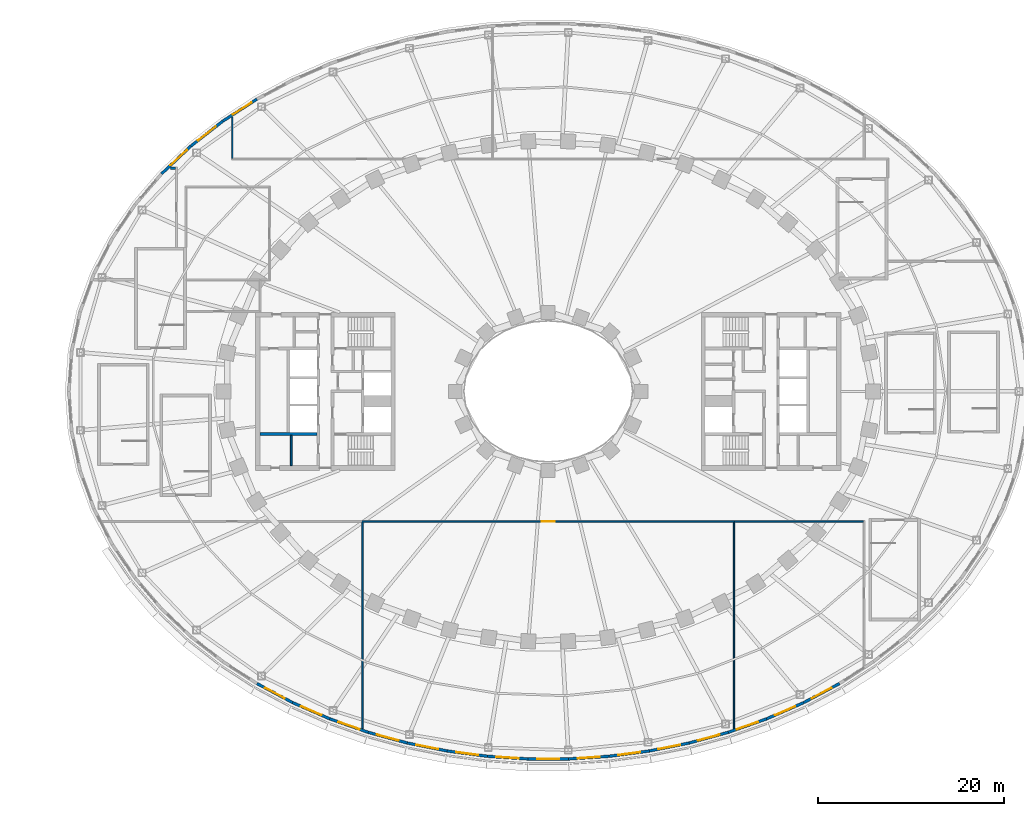
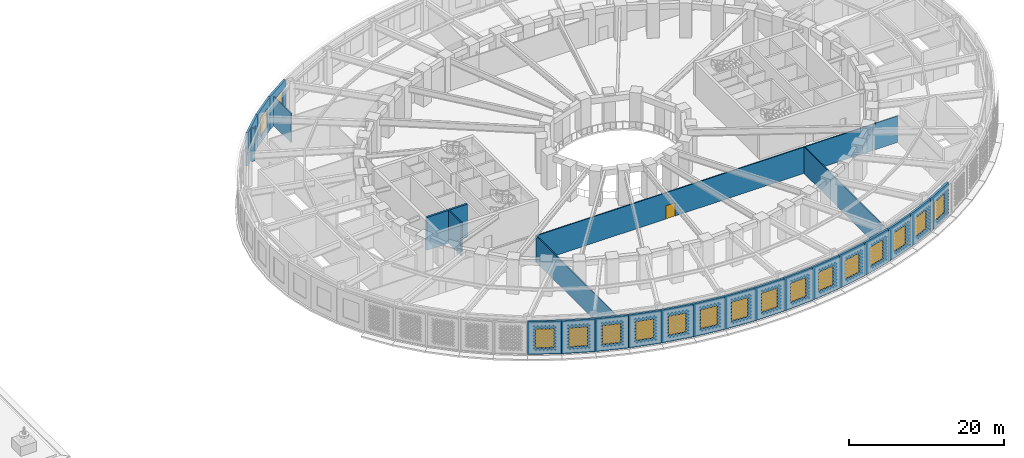
# One storey, part 11 of 63: 26 walls, 18 windows, 1 door, 19 openings.
"""IFC4 building model written with IfcOpenShell, lengths in metres."""

from ifc_helpers import new_model, si_unit, direction, frame, frame_2d, origin, place, context, subcontext, project, spatial, rectangle, extrude, material, layer, layer_set, type_object, element, fill, save


model = new_model("IFC4")

# Units and contexts
model_context = context("Model", 3, precision=1e-05, world=origin(), true_north=direction((0.0, 1.0)))
body_context = subcontext(model_context, "Body", "Model", "MODEL_VIEW")
ifc_project = project(units=[si_unit("LENGTHUNIT", "METRE"), si_unit("AREAUNIT", "SQUARE_METRE"), si_unit("VOLUMEUNIT", "CUBIC_METRE"), si_unit("PLANEANGLEUNIT", "RADIAN"), si_unit("MASSUNIT", "GRAM", prefix="KILO")], contexts=[model_context])

# Site, building, storey
site_placement = place(None, origin())
site = spatial("IfcSite", under=ifc_project, at=site_placement, CompositionType="ELEMENT")
building_placement = place(site_placement, origin())
building = spatial("IfcBuilding", under=site, at=building_placement, Name="Noorbagh Ring Tower", CompositionType="ELEMENT")
storey_placement = place(building_placement, frame((0.0, 0.0, 25.0)))
storey = spatial("IfcBuildingStorey", under=building, at=storey_placement, Name="L04", CompositionType="ELEMENT", Elevation=25.0)

# Walls
ifc_material_1 = material(Name="Gypsum board on steel studs", Category="steel")
ifc_layer_1 = layer(ifc_material_1, 0.199951171875)
ifc_layer_set_1 = layer_set([ifc_layer_1], Name="Gypsum board on steel studs")
wall_type_1 = type_object("IfcWallType", Name="CORE-PARTITION-200", PredefinedType="PARTITIONING", material=ifc_layer_set_1)
wall_1_placement = place(storey_placement, frame((-27.64990234375, -8.0, 0.0), z_axis=(0.0, 0.0, 1.0), x_axis=(0.0, 1.0, 0.0)))
element("IfcWall", 1, at=wall_1_placement, inside=storey, type_object=wall_type_1, Name="Core partition W", PredefinedType="PARTITIONING", context=body_context, shape_type="SweptSolid", body=[
    extrude(rectangle(XDim=3.25, YDim=0.199951171875, at=frame_2d((1.625, 0.0))), origin(), (0.0, 0.0, 1.0), 5.199951171875),
])
ifc_material_2 = material(Name="Concrete C70/85", Category="concrete")
ifc_layer_2 = layer(ifc_material_2, 0.300048828125)
ifc_layer_set_2 = layer_set([ifc_layer_2], Name="Concrete C70/85")
wall_type_2 = type_object("IfcWallType", Name="CORE-WALL-300-C70-85-EI240", PredefinedType="SHEAR", material=ifc_layer_set_2)
wall_2_placement = place(storey_placement, frame((-24.89990234375, -4.60009765625, 0.0), z_axis=(0.0, 0.0, 1.0), x_axis=(-1.0, 0.0, 0.0)))
element("IfcWall", 2, at=wall_2_placement, inside=storey, type_object=wall_type_2, Name="Core wall W", PredefinedType="SHEAR", context=body_context, shape_type="SweptSolid", body=[
    extrude(rectangle(XDim=6.10009765625, YDim=0.300048828125, at=frame_2d((3.050048828125, 0.0))), origin(), (0.0, 0.0, 1.0), 5.199951171875),
])

# Wall, opening, window
ifc_material_3 = material(Name="Blockwork faced with red sandstone", Category="masonry")
ifc_layer_3 = layer(ifc_material_3, 0.300048828125)
ifc_layer_set_3 = layer_set([ifc_layer_3], Name="Blockwork faced with red sandstone")
wall_type_3 = type_object("IfcWallType", Name="GND-ENV-WALL", PredefinedType="SOLIDWALL", material=ifc_layer_set_3)
wall_3_placement = place(storey_placement, frame((-31.3515625, 31.448486328125, 0.0), z_axis=(0.0, 0.0, 1.0), x_axis=(-0.840047348843, -0.542513088969, 0.0)))
wall_3 = element("IfcWall", 3, at=wall_3_placement, inside=storey, type_object=wall_type_3, Name="Podium wall", PredefinedType="SOLIDWALL", context=body_context, shape_type="SweptSolid", body=[
    extrude(rectangle(XDim=4.362060546875, YDim=0.300048828125, at=frame_2d((2.18115234375, 0.0))), origin(), (0.0, 0.0, 1.0), 5.199951171875),
])
opening_1_placement = place(wall_3_placement, frame((0.69091796875, 0.0, 1.0)))
opening_1 = element("IfcOpeningElement", 4, at=opening_1_placement, cuts=wall_3, Name="Opening GWN1", PredefinedType="OPENING", context=body_context, shape_type="SweptSolid", body=[
    extrude(rectangle(XDim=2.39990234375, YDim=3.0, at=frame_2d((1.199951171875, 1.5))), frame((0.0, 0.16015625, 0.0), z_axis=(0.0, -1.0, 0.0), x_axis=(1.0, 0.0, 0.0)), (0.0, 0.0, 1.0), 0.320068359375),
])
ifc_material_4 = material(Name="Aluminium and glass", Category="aluminium")
window_type = type_object("IfcWindowType", Name="GND-ENV-WINDOW", PartitioningType="SINGLE_PANEL", PredefinedType="WINDOW", material=ifc_material_4)
window_1_placement = place(opening_1_placement, origin())
window_1 = element("IfcWindow", 5, at=window_1_placement, inside=storey, type_object=window_type, Name="L04 podium window", OverallHeight=3.0, OverallWidth=2.39990234375, PartitioningType="SINGLE_PANEL", PredefinedType="WINDOW", context=body_context, shape_type="SweptSolid", body=[
    extrude(rectangle(XDim=2.39990234375, YDim=3.0, at=frame_2d((1.199951171875, 1.5))), frame((0.0, 0.030029296875, 0.0), z_axis=(0.0, -1.0, 0.0), x_axis=(1.0, 0.0, 0.0)), (0.0, 0.0, 1.0), 0.06005859375),
])
fill(opening_1, window_1)

wall_4_placement = place(storey_placement, frame((-35.015869140625, 29.08203125, 0.0), z_axis=(0.0, 0.0, 1.0), x_axis=(-0.788491985196, -0.615045030288, 0.0)))
wall_4 = element("IfcWall", 6, at=wall_4_placement, inside=storey, type_object=wall_type_3, Name="Podium wall", PredefinedType="SOLIDWALL", context=body_context, shape_type="SweptSolid", body=[
    extrude(rectangle(XDim=4.359375, YDim=0.300048828125, at=frame_2d((2.1796875, 0.0))), origin(), (0.0, 0.0, 1.0), 5.199951171875),
])
opening_2_placement = place(wall_4_placement, frame((0.979736328125, 0.0, 1.0)))
opening_2 = element("IfcOpeningElement", 7, at=opening_2_placement, cuts=wall_4, Name="Opening GWN1", PredefinedType="OPENING", context=body_context, shape_type="SweptSolid", body=[
    extrude(rectangle(XDim=2.39990234375, YDim=3.0, at=frame_2d((1.199951171875, 1.5))), frame((0.0, 0.16015625, 0.0), z_axis=(0.0, -1.0, 0.0), x_axis=(1.0, 0.0, 0.0)), (0.0, 0.0, 1.0), 0.320068359375),
])
window_2_placement = place(opening_2_placement, origin())
window_2 = element("IfcWindow", 8, at=window_2_placement, inside=storey, type_object=window_type, Name="L04 podium window", OverallHeight=3.0, OverallWidth=2.39990234375, PartitioningType="SINGLE_PANEL", PredefinedType="WINDOW", context=body_context, shape_type="SweptSolid", body=[
    extrude(rectangle(XDim=2.39990234375, YDim=3.0, at=frame_2d((1.199951171875, 1.5))), frame((0.0, 0.030029296875, 0.0), z_axis=(0.0, -1.0, 0.0), x_axis=(1.0, 0.0, 0.0)), (0.0, 0.0, 1.0), 0.06005859375),
])
fill(opening_2, window_2)

wall_5_placement = place(storey_placement, frame((-38.453125, 26.40087890625, 0.0), z_axis=(0.0, 0.0, 1.0), x_axis=(-0.72620446032, -0.687478786444, 0.0)))
wall_5 = element("IfcWall", 9, at=wall_5_placement, inside=storey, type_object=wall_type_3, Name="Podium wall", PredefinedType="SOLIDWALL", context=body_context, shape_type="SweptSolid", body=[
    extrude(rectangle(XDim=4.356201171875, YDim=0.300048828125, at=frame_2d((2.17822265625, 0.0))), origin(), (0.0, 0.0, 1.0), 5.199951171875),
])
opening_3_placement = place(wall_5_placement, frame((0.608154296875, 0.0, 1.0)))
opening_3 = element("IfcOpeningElement", 10, at=opening_3_placement, cuts=wall_5, Name="Opening GWN1", PredefinedType="OPENING", context=body_context, shape_type="SweptSolid", body=[
    extrude(rectangle(XDim=2.39990234375, YDim=3.0, at=frame_2d((1.199951171875, 1.5))), frame((0.0, 0.16015625, 0.0), z_axis=(0.0, -1.0, 0.0), x_axis=(1.0, 0.0, 0.0)), (0.0, 0.0, 1.0), 0.320068359375),
])
window_3_placement = place(opening_3_placement, origin())
window_3 = element("IfcWindow", 11, at=window_3_placement, inside=storey, type_object=window_type, Name="L04 podium window", OverallHeight=3.0, OverallWidth=2.39990234375, PartitioningType="SINGLE_PANEL", PredefinedType="WINDOW", context=body_context, shape_type="SweptSolid", body=[
    extrude(rectangle(XDim=2.39990234375, YDim=3.0, at=frame_2d((1.199951171875, 1.5))), frame((0.0, 0.030029296875, 0.0), z_axis=(0.0, -1.0, 0.0), x_axis=(1.0, 0.0, 0.0)), (0.0, 0.0, 1.0), 0.06005859375),
])
fill(opening_3, window_3)

wall_6_placement = place(storey_placement, frame((-31.3515625, -31.448486328125, 0.0), z_axis=(0.0, 0.0, 1.0), x_axis=(0.882159305704, -0.47095112205, 0.0)))
wall_6 = element("IfcWall", 12, at=wall_6_placement, inside=storey, type_object=wall_type_3, Name="Podium wall", PredefinedType="SOLIDWALL", context=body_context, shape_type="SweptSolid", body=[
    extrude(rectangle(XDim=4.364501953125, YDim=0.300048828125, at=frame_2d((2.18212890625, 0.0))), origin(), (0.0, 0.0, 1.0), 5.199951171875),
])
opening_4_placement = place(wall_6_placement, frame((0.982177734375, 0.0, 1.0)))
opening_4 = element("IfcOpeningElement", 13, at=opening_4_placement, cuts=wall_6, Name="Opening GWN1", PredefinedType="OPENING", context=body_context, shape_type="SweptSolid", body=[
    extrude(rectangle(XDim=2.39990234375, YDim=3.0, at=frame_2d((1.199951171875, 1.5))), frame((0.0, 0.16015625, 0.0), z_axis=(0.0, -1.0, 0.0), x_axis=(1.0, 0.0, 0.0)), (0.0, 0.0, 1.0), 0.320068359375),
])
window_4_placement = place(opening_4_placement, origin())
window_4 = element("IfcWindow", 14, at=window_4_placement, inside=storey, type_object=window_type, Name="L04 podium window", OverallHeight=3.0, OverallWidth=2.39990234375, PartitioningType="SINGLE_PANEL", PredefinedType="WINDOW", context=body_context, shape_type="SweptSolid", body=[
    extrude(rectangle(XDim=2.39990234375, YDim=3.0, at=frame_2d((1.199951171875, 1.5))), frame((0.0, 0.030029296875, 0.0), z_axis=(0.0, -1.0, 0.0), x_axis=(1.0, 0.0, 0.0)), (0.0, 0.0, 1.0), 0.06005859375),
])
fill(opening_4, window_4)

wall_7_placement = place(storey_placement, frame((-27.50146484375, -33.50390625, 0.0), z_axis=(0.0, 0.0, 1.0), x_axis=(0.916336904548, -0.400408138483, 0.0)))
wall_7 = element("IfcWall", 15, at=wall_7_placement, inside=storey, type_object=wall_type_3, Name="Podium wall", PredefinedType="SOLIDWALL", context=body_context, shape_type="SweptSolid", body=[
    extrude(rectangle(XDim=4.3662109375, YDim=0.300048828125, at=frame_2d((2.18310546875, 0.0))), origin(), (0.0, 0.0, 1.0), 5.199951171875),
])
opening_5_placement = place(wall_7_placement, frame((0.983154296875, 0.0, 1.0)))
opening_5 = element("IfcOpeningElement", 16, at=opening_5_placement, cuts=wall_7, Name="Opening GWN1", PredefinedType="OPENING", context=body_context, shape_type="SweptSolid", body=[
    extrude(rectangle(XDim=2.39990234375, YDim=3.0, at=frame_2d((1.199951171875, 1.5))), frame((0.0, 0.16015625, 0.0), z_axis=(0.0, -1.0, 0.0), x_axis=(1.0, 0.0, 0.0)), (0.0, 0.0, 1.0), 0.320068359375),
])
window_5_placement = place(opening_5_placement, origin())
window_5 = element("IfcWindow", 17, at=window_5_placement, inside=storey, type_object=window_type, Name="L04 podium window", OverallHeight=3.0, OverallWidth=2.39990234375, PartitioningType="SINGLE_PANEL", PredefinedType="WINDOW", context=body_context, shape_type="SweptSolid", body=[
    extrude(rectangle(XDim=2.39990234375, YDim=3.0, at=frame_2d((1.199951171875, 1.5))), frame((0.0, 0.030029296875, 0.0), z_axis=(0.0, -1.0, 0.0), x_axis=(1.0, 0.0, 0.0)), (0.0, 0.0, 1.0), 0.06005859375),
])
fill(opening_5, window_5)

wall_8_placement = place(storey_placement, frame((-23.50048828125, -35.252197265625, 0.0), z_axis=(0.0, 0.0, 1.0), x_axis=(0.943526738033, -0.331296384853, 0.0)))
wall_8 = element("IfcWall", 18, at=wall_8_placement, inside=storey, type_object=wall_type_3, Name="Podium wall", PredefinedType="SOLIDWALL", context=body_context, shape_type="SweptSolid", body=[
    extrude(rectangle(XDim=4.36767578125, YDim=0.300048828125, at=frame_2d((2.183837890625, 0.0))), origin(), (0.0, 0.0, 1.0), 5.199951171875),
])
opening_6_placement = place(wall_8_placement, frame((0.98388671875, 0.0, 1.0)))
opening_6 = element("IfcOpeningElement", 19, at=opening_6_placement, cuts=wall_8, Name="Opening GWN1", PredefinedType="OPENING", context=body_context, shape_type="SweptSolid", body=[
    extrude(rectangle(XDim=2.39990234375, YDim=3.0, at=frame_2d((1.199951171875, 1.5))), frame((0.0, 0.16015625, 0.0), z_axis=(0.0, -1.0, 0.0), x_axis=(1.0, 0.0, 0.0)), (0.0, 0.0, 1.0), 0.320068359375),
])
window_6_placement = place(opening_6_placement, origin())
window_6 = element("IfcWindow", 20, at=window_6_placement, inside=storey, type_object=window_type, Name="L04 podium window", OverallHeight=3.0, OverallWidth=2.39990234375, PartitioningType="SINGLE_PANEL", PredefinedType="WINDOW", context=body_context, shape_type="SweptSolid", body=[
    extrude(rectangle(XDim=2.39990234375, YDim=3.0, at=frame_2d((1.199951171875, 1.5))), frame((0.0, 0.030029296875, 0.0), z_axis=(0.0, -1.0, 0.0), x_axis=(1.0, 0.0, 0.0)), (0.0, 0.0, 1.0), 0.06005859375),
])
fill(opening_6, window_6)

wall_9_placement = place(storey_placement, frame((-19.37939453125, -36.69921875, 0.0), z_axis=(0.0, 0.0, 1.0), x_axis=(0.964679950239, -0.263424739931, 0.0)))
wall_9 = element("IfcWall", 21, at=wall_9_placement, inside=storey, type_object=wall_type_3, Name="Podium wall", PredefinedType="SOLIDWALL", context=body_context, shape_type="SweptSolid", body=[
    extrude(rectangle(XDim=4.368896484375, YDim=0.300048828125, at=frame_2d((2.1845703125, 0.0))), origin(), (0.0, 0.0, 1.0), 5.199951171875),
])
opening_7_placement = place(wall_9_placement, frame((0.984619140625, 0.0, 1.0)))
opening_7 = element("IfcOpeningElement", 22, at=opening_7_placement, cuts=wall_9, Name="Opening GWN1", PredefinedType="OPENING", context=body_context, shape_type="SweptSolid", body=[
    extrude(rectangle(XDim=2.39990234375, YDim=3.0, at=frame_2d((1.199951171875, 1.5))), frame((0.0, 0.16015625, 0.0), z_axis=(0.0, -1.0, 0.0), x_axis=(1.0, 0.0, 0.0)), (0.0, 0.0, 1.0), 0.320068359375),
])
window_7_placement = place(opening_7_placement, origin())
window_7 = element("IfcWindow", 23, at=window_7_placement, inside=storey, type_object=window_type, Name="L04 podium window", OverallHeight=3.0, OverallWidth=2.39990234375, PartitioningType="SINGLE_PANEL", PredefinedType="WINDOW", context=body_context, shape_type="SweptSolid", body=[
    extrude(rectangle(XDim=2.39990234375, YDim=3.0, at=frame_2d((1.199951171875, 1.5))), frame((0.0, 0.030029296875, 0.0), z_axis=(0.0, -1.0, 0.0), x_axis=(1.0, 0.0, 0.0)), (0.0, 0.0, 1.0), 0.06005859375),
])
fill(opening_7, window_7)

wall_10_placement = place(storey_placement, frame((-2.185546875, -39.564208984375, 0.0), z_axis=(0.0, 0.0, 1.0), x_axis=(1.0, 0.0, 0.0)))
wall_10 = element("IfcWall", 24, at=wall_10_placement, inside=storey, type_object=wall_type_3, Name="Podium wall", PredefinedType="SOLIDWALL", context=body_context, shape_type="SweptSolid", body=[
    extrude(rectangle(XDim=4.37109375, YDim=0.300048828125, at=frame_2d((2.185546875, 0.0))), origin(), (0.0, 0.0, 1.0), 5.199951171875),
])
opening_8_placement = place(wall_10_placement, frame((0.985595703125, 0.0, 1.0)))
opening_8 = element("IfcOpeningElement", 25, at=opening_8_placement, cuts=wall_10, Name="Opening GWN1", PredefinedType="OPENING", context=body_context, shape_type="SweptSolid", body=[
    extrude(rectangle(XDim=2.39990234375, YDim=3.0, at=frame_2d((1.199951171875, 1.5))), frame((0.0, 0.16015625, 0.0), z_axis=(0.0, -1.0, 0.0), x_axis=(1.0, 0.0, 0.0)), (0.0, 0.0, 1.0), 0.320068359375),
])
window_8_placement = place(opening_8_placement, origin())
window_8 = element("IfcWindow", 26, at=window_8_placement, inside=storey, type_object=window_type, Name="L04 podium window", OverallHeight=3.0, OverallWidth=2.39990234375, PartitioningType="SINGLE_PANEL", PredefinedType="WINDOW", context=body_context, shape_type="SweptSolid", body=[
    extrude(rectangle(XDim=2.39990234375, YDim=3.0, at=frame_2d((1.199951171875, 1.5))), frame((0.0, 0.030029296875, 0.0), z_axis=(0.0, -1.0, 0.0), x_axis=(1.0, 0.0, 0.0)), (0.0, 0.0, 1.0), 0.06005859375),
])
fill(opening_8, window_8)

wall_11_placement = place(storey_placement, frame((2.185546875, -39.564208984375, 0.0), z_axis=(0.0, 0.0, 1.0), x_axis=(0.997876871627, 0.065128711577, 0.0)))
wall_11 = element("IfcWall", 27, at=wall_11_placement, inside=storey, type_object=wall_type_3, Name="Podium wall", PredefinedType="SOLIDWALL", context=body_context, shape_type="SweptSolid", body=[
    extrude(rectangle(XDim=4.370849609375, YDim=0.300048828125, at=frame_2d((2.185546875, 0.0))), origin(), (0.0, 0.0, 1.0), 5.199951171875),
])
opening_9_placement = place(wall_11_placement, frame((0.9853515625, 0.0, 1.0)))
opening_9 = element("IfcOpeningElement", 28, at=opening_9_placement, cuts=wall_11, Name="Opening GWN1", PredefinedType="OPENING", context=body_context, shape_type="SweptSolid", body=[
    extrude(rectangle(XDim=2.39990234375, YDim=3.0, at=frame_2d((1.199951171875, 1.5))), frame((0.0, 0.16015625, 0.0), z_axis=(0.0, -1.0, 0.0), x_axis=(1.0, 0.0, 0.0)), (0.0, 0.0, 1.0), 0.320068359375),
])
window_9_placement = place(opening_9_placement, origin())
window_9 = element("IfcWindow", 29, at=window_9_placement, inside=storey, type_object=window_type, Name="L04 podium window", OverallHeight=3.0, OverallWidth=2.39990234375, PartitioningType="SINGLE_PANEL", PredefinedType="WINDOW", context=body_context, shape_type="SweptSolid", body=[
    extrude(rectangle(XDim=2.39990234375, YDim=3.0, at=frame_2d((1.199951171875, 1.5))), frame((0.0, 0.030029296875, 0.0), z_axis=(0.0, -1.0, 0.0), x_axis=(1.0, 0.0, 0.0)), (0.0, 0.0, 1.0), 0.06005859375),
])
fill(opening_9, window_9)

wall_12_placement = place(storey_placement, frame((6.547119140625, -39.279541015625, 0.0), z_axis=(0.0, 0.0, 1.0), x_axis=(0.991441741932, 0.130549884544, 0.0)))
wall_12 = element("IfcWall", 30, at=wall_12_placement, inside=storey, type_object=wall_type_3, Name="Podium wall", PredefinedType="SOLIDWALL", context=body_context, shape_type="SweptSolid", body=[
    extrude(rectangle(XDim=4.370361328125, YDim=0.300048828125, at=frame_2d((2.18505859375, 0.0))), origin(), (0.0, 0.0, 1.0), 5.199951171875),
])
opening_10_placement = place(wall_12_placement, frame((0.985107421875, 0.0, 1.0)))
opening_10 = element("IfcOpeningElement", 31, at=opening_10_placement, cuts=wall_12, Name="Opening GWN1", PredefinedType="OPENING", context=body_context, shape_type="SweptSolid", body=[
    extrude(rectangle(XDim=2.39990234375, YDim=3.0, at=frame_2d((1.199951171875, 1.5))), frame((0.0, 0.16015625, 0.0), z_axis=(0.0, -1.0, 0.0), x_axis=(1.0, 0.0, 0.0)), (0.0, 0.0, 1.0), 0.320068359375),
])
window_10_placement = place(opening_10_placement, origin())
window_10 = element("IfcWindow", 32, at=window_10_placement, inside=storey, type_object=window_type, Name="L04 podium window", OverallHeight=3.0, OverallWidth=2.39990234375, PartitioningType="SINGLE_PANEL", PredefinedType="WINDOW", context=body_context, shape_type="SweptSolid", body=[
    extrude(rectangle(XDim=2.39990234375, YDim=3.0, at=frame_2d((1.199951171875, 1.5))), frame((0.0, 0.030029296875, 0.0), z_axis=(0.0, -1.0, 0.0), x_axis=(1.0, 0.0, 0.0)), (0.0, 0.0, 1.0), 0.06005859375),
])
fill(opening_10, window_10)

wall_13_placement = place(storey_placement, frame((10.880126953125, -38.708984375, 0.0), z_axis=(0.0, 0.0, 1.0), x_axis=(0.980494629762, 0.196545875071, 0.0)))
wall_13 = element("IfcWall", 33, at=wall_13_placement, inside=storey, type_object=wall_type_3, Name="Podium wall", PredefinedType="SOLIDWALL", context=body_context, shape_type="SweptSolid", body=[
    extrude(rectangle(XDim=4.369873046875, YDim=0.300048828125, at=frame_2d((2.18505859375, 0.0))), origin(), (0.0, 0.0, 1.0), 5.199951171875),
])
opening_11_placement = place(wall_13_placement, frame((0.98486328125, 0.0, 1.0)))
opening_11 = element("IfcOpeningElement", 34, at=opening_11_placement, cuts=wall_13, Name="Opening GWN1", PredefinedType="OPENING", context=body_context, shape_type="SweptSolid", body=[
    extrude(rectangle(XDim=2.39990234375, YDim=3.0, at=frame_2d((1.199951171875, 1.5))), frame((0.0, 0.16015625, 0.0), z_axis=(0.0, -1.0, 0.0), x_axis=(1.0, 0.0, 0.0)), (0.0, 0.0, 1.0), 0.320068359375),
])
window_11_placement = place(opening_11_placement, origin())
window_11 = element("IfcWindow", 35, at=window_11_placement, inside=storey, type_object=window_type, Name="L04 podium window", OverallHeight=3.0, OverallWidth=2.39990234375, PartitioningType="SINGLE_PANEL", PredefinedType="WINDOW", context=body_context, shape_type="SweptSolid", body=[
    extrude(rectangle(XDim=2.39990234375, YDim=3.0, at=frame_2d((1.199951171875, 1.5))), frame((0.0, 0.030029296875, 0.0), z_axis=(0.0, -1.0, 0.0), x_axis=(1.0, 0.0, 0.0)), (0.0, 0.0, 1.0), 0.06005859375),
])
fill(opening_11, window_11)

wall_14_placement = place(storey_placement, frame((15.164794921875, -37.85009765625, 0.0), z_axis=(0.0, 0.0, 1.0), x_axis=(0.964679950239, 0.263424739931, 0.0)))
wall_14 = element("IfcWall", 36, at=wall_14_placement, inside=storey, type_object=wall_type_3, Name="Podium wall", PredefinedType="SOLIDWALL", context=body_context, shape_type="SweptSolid", body=[
    extrude(rectangle(XDim=4.368896484375, YDim=0.300048828125, at=frame_2d((2.1845703125, 0.0))), origin(), (0.0, 0.0, 1.0), 5.199951171875),
])
opening_12_placement = place(wall_14_placement, frame((0.984619140625, 0.0, 1.0)))
opening_12 = element("IfcOpeningElement", 37, at=opening_12_placement, cuts=wall_14, Name="Opening GWN1", PredefinedType="OPENING", context=body_context, shape_type="SweptSolid", body=[
    extrude(rectangle(XDim=2.39990234375, YDim=3.0, at=frame_2d((1.199951171875, 1.5))), frame((0.0, 0.16015625, 0.0), z_axis=(0.0, -1.0, 0.0), x_axis=(1.0, 0.0, 0.0)), (0.0, 0.0, 1.0), 0.320068359375),
])
window_12_placement = place(opening_12_placement, origin())
window_12 = element("IfcWindow", 38, at=window_12_placement, inside=storey, type_object=window_type, Name="L04 podium window", OverallHeight=3.0, OverallWidth=2.39990234375, PartitioningType="SINGLE_PANEL", PredefinedType="WINDOW", context=body_context, shape_type="SweptSolid", body=[
    extrude(rectangle(XDim=2.39990234375, YDim=3.0, at=frame_2d((1.199951171875, 1.5))), frame((0.0, 0.030029296875, 0.0), z_axis=(0.0, -1.0, 0.0), x_axis=(1.0, 0.0, 0.0)), (0.0, 0.0, 1.0), 0.06005859375),
])
fill(opening_12, window_12)

wall_15_placement = place(storey_placement, frame((19.37939453125, -36.69921875, 0.0), z_axis=(0.0, 0.0, 1.0), x_axis=(0.943526738033, 0.331296384853, 0.0)))
wall_15 = element("IfcWall", 39, at=wall_15_placement, inside=storey, type_object=wall_type_3, Name="Podium wall", PredefinedType="SOLIDWALL", context=body_context, shape_type="SweptSolid", body=[
    extrude(rectangle(XDim=4.36767578125, YDim=0.300048828125, at=frame_2d((2.183837890625, 0.0))), origin(), (0.0, 0.0, 1.0), 5.199951171875),
])
opening_13_placement = place(wall_15_placement, frame((0.98388671875, 0.0, 1.0)))
opening_13 = element("IfcOpeningElement", 40, at=opening_13_placement, cuts=wall_15, Name="Opening GWN1", PredefinedType="OPENING", context=body_context, shape_type="SweptSolid", body=[
    extrude(rectangle(XDim=2.39990234375, YDim=3.0, at=frame_2d((1.199951171875, 1.5))), frame((0.0, 0.16015625, 0.0), z_axis=(0.0, -1.0, 0.0), x_axis=(1.0, 0.0, 0.0)), (0.0, 0.0, 1.0), 0.320068359375),
])
window_13_placement = place(opening_13_placement, origin())
window_13 = element("IfcWindow", 41, at=window_13_placement, inside=storey, type_object=window_type, Name="L04 podium window", OverallHeight=3.0, OverallWidth=2.39990234375, PartitioningType="SINGLE_PANEL", PredefinedType="WINDOW", context=body_context, shape_type="SweptSolid", body=[
    extrude(rectangle(XDim=2.39990234375, YDim=3.0, at=frame_2d((1.199951171875, 1.5))), frame((0.0, 0.030029296875, 0.0), z_axis=(0.0, -1.0, 0.0), x_axis=(1.0, 0.0, 0.0)), (0.0, 0.0, 1.0), 0.06005859375),
])
fill(opening_13, window_13)

wall_16_placement = place(storey_placement, frame((23.50048828125, -35.252197265625, 0.0), z_axis=(0.0, 0.0, 1.0), x_axis=(0.916336904548, 0.400408138483, 0.0)))
wall_16 = element("IfcWall", 42, at=wall_16_placement, inside=storey, type_object=wall_type_3, Name="Podium wall", PredefinedType="SOLIDWALL", context=body_context, shape_type="SweptSolid", body=[
    extrude(rectangle(XDim=4.3662109375, YDim=0.300048828125, at=frame_2d((2.18310546875, 0.0))), origin(), (0.0, 0.0, 1.0), 5.199951171875),
])
opening_14_placement = place(wall_16_placement, frame((0.983154296875, 0.0, 1.0)))
opening_14 = element("IfcOpeningElement", 43, at=opening_14_placement, cuts=wall_16, Name="Opening GWN1", PredefinedType="OPENING", context=body_context, shape_type="SweptSolid", body=[
    extrude(rectangle(XDim=2.39990234375, YDim=3.0, at=frame_2d((1.199951171875, 1.5))), frame((0.0, 0.16015625, 0.0), z_axis=(0.0, -1.0, 0.0), x_axis=(1.0, 0.0, 0.0)), (0.0, 0.0, 1.0), 0.320068359375),
])
window_14_placement = place(opening_14_placement, origin())
window_14 = element("IfcWindow", 44, at=window_14_placement, inside=storey, type_object=window_type, Name="L04 podium window", OverallHeight=3.0, OverallWidth=2.39990234375, PartitioningType="SINGLE_PANEL", PredefinedType="WINDOW", context=body_context, shape_type="SweptSolid", body=[
    extrude(rectangle(XDim=2.39990234375, YDim=3.0, at=frame_2d((1.199951171875, 1.5))), frame((0.0, 0.030029296875, 0.0), z_axis=(0.0, -1.0, 0.0), x_axis=(1.0, 0.0, 0.0)), (0.0, 0.0, 1.0), 0.06005859375),
])
fill(opening_14, window_14)

wall_17_placement = place(storey_placement, frame((27.50146484375, -33.50390625, 0.0), z_axis=(0.0, 0.0, 1.0), x_axis=(0.882159305704, 0.47095112205, 0.0)))
wall_17 = element("IfcWall", 45, at=wall_17_placement, inside=storey, type_object=wall_type_3, Name="Podium wall", PredefinedType="SOLIDWALL", context=body_context, shape_type="SweptSolid", body=[
    extrude(rectangle(XDim=4.364501953125, YDim=0.300048828125, at=frame_2d((2.18212890625, 0.0))), origin(), (0.0, 0.0, 1.0), 5.199951171875),
])
opening_15_placement = place(wall_17_placement, frame((0.982177734375, 0.0, 1.0)))
opening_15 = element("IfcOpeningElement", 46, at=opening_15_placement, cuts=wall_17, Name="Opening GWN1", PredefinedType="OPENING", context=body_context, shape_type="SweptSolid", body=[
    extrude(rectangle(XDim=2.39990234375, YDim=3.0, at=frame_2d((1.199951171875, 1.5))), frame((0.0, 0.16015625, 0.0), z_axis=(0.0, -1.0, 0.0), x_axis=(1.0, 0.0, 0.0)), (0.0, 0.0, 1.0), 0.320068359375),
])
window_15_placement = place(opening_15_placement, origin())
window_15 = element("IfcWindow", 47, at=window_15_placement, inside=storey, type_object=window_type, Name="L04 podium window", OverallHeight=3.0, OverallWidth=2.39990234375, PartitioningType="SINGLE_PANEL", PredefinedType="WINDOW", context=body_context, shape_type="SweptSolid", body=[
    extrude(rectangle(XDim=2.39990234375, YDim=3.0, at=frame_2d((1.199951171875, 1.5))), frame((0.0, 0.030029296875, 0.0), z_axis=(0.0, -1.0, 0.0), x_axis=(1.0, 0.0, 0.0)), (0.0, 0.0, 1.0), 0.06005859375),
])
fill(opening_15, window_15)

ifc_material_5 = material(Name="Blockwork faced with red sandstone", Category="masonry")
ifc_layer_4 = layer(ifc_material_5, 0.300048828125)
ifc_layer_set_4 = layer_set([ifc_layer_4], Name="Blockwork faced with red sandstone")
wall_type_4 = type_object("IfcWallType", Name="GND-ENV-WALL-EI120", PredefinedType="SOLIDWALL", material=ifc_layer_set_4)
wall_18_placement = place(storey_placement, frame((-15.164794921875, -37.85009765625, 0.0), z_axis=(0.0, 0.0, 1.0), x_axis=(0.980494629762, -0.196545875071, 0.0)))
wall_18 = element("IfcWall", 48, at=wall_18_placement, inside=storey, type_object=wall_type_4, Name="Podium wall", PredefinedType="SOLIDWALL", context=body_context, shape_type="SweptSolid", body=[
    extrude(rectangle(XDim=4.369873046875, YDim=0.300048828125, at=frame_2d((2.18505859375, 0.0))), origin(), (0.0, 0.0, 1.0), 5.199951171875),
])
opening_16_placement = place(wall_18_placement, frame((0.98486328125, 0.0, 1.0)))
opening_16 = element("IfcOpeningElement", 49, at=opening_16_placement, cuts=wall_18, Name="Opening GWN1", PredefinedType="OPENING", context=body_context, shape_type="SweptSolid", body=[
    extrude(rectangle(XDim=2.39990234375, YDim=3.0, at=frame_2d((1.199951171875, 1.5))), frame((0.0, 0.16015625, 0.0), z_axis=(0.0, -1.0, 0.0), x_axis=(1.0, 0.0, 0.0)), (0.0, 0.0, 1.0), 0.320068359375),
])
window_16_placement = place(opening_16_placement, origin())
window_16 = element("IfcWindow", 50, at=window_16_placement, inside=storey, type_object=window_type, Name="L04 podium window", OverallHeight=3.0, OverallWidth=2.39990234375, PartitioningType="SINGLE_PANEL", PredefinedType="WINDOW", context=body_context, shape_type="SweptSolid", body=[
    extrude(rectangle(XDim=2.39990234375, YDim=3.0, at=frame_2d((1.199951171875, 1.5))), frame((0.0, 0.030029296875, 0.0), z_axis=(0.0, -1.0, 0.0), x_axis=(1.0, 0.0, 0.0)), (0.0, 0.0, 1.0), 0.06005859375),
])
fill(opening_16, window_16)

wall_19_placement = place(storey_placement, frame((-10.880126953125, -38.708984375, 0.0), z_axis=(0.0, 0.0, 1.0), x_axis=(0.991441741932, -0.130549884544, 0.0)))
wall_19 = element("IfcWall", 51, at=wall_19_placement, inside=storey, type_object=wall_type_4, Name="Podium wall", PredefinedType="SOLIDWALL", context=body_context, shape_type="SweptSolid", body=[
    extrude(rectangle(XDim=4.370361328125, YDim=0.300048828125, at=frame_2d((2.18505859375, 0.0))), origin(), (0.0, 0.0, 1.0), 5.199951171875),
])
opening_17_placement = place(wall_19_placement, frame((0.985107421875, 0.0, 1.0)))
opening_17 = element("IfcOpeningElement", 52, at=opening_17_placement, cuts=wall_19, Name="Opening GWN1", PredefinedType="OPENING", context=body_context, shape_type="SweptSolid", body=[
    extrude(rectangle(XDim=2.39990234375, YDim=3.0, at=frame_2d((1.199951171875, 1.5))), frame((0.0, 0.16015625, 0.0), z_axis=(0.0, -1.0, 0.0), x_axis=(1.0, 0.0, 0.0)), (0.0, 0.0, 1.0), 0.320068359375),
])
window_17_placement = place(opening_17_placement, origin())
window_17 = element("IfcWindow", 53, at=window_17_placement, inside=storey, type_object=window_type, Name="L04 podium window", OverallHeight=3.0, OverallWidth=2.39990234375, PartitioningType="SINGLE_PANEL", PredefinedType="WINDOW", context=body_context, shape_type="SweptSolid", body=[
    extrude(rectangle(XDim=2.39990234375, YDim=3.0, at=frame_2d((1.199951171875, 1.5))), frame((0.0, 0.030029296875, 0.0), z_axis=(0.0, -1.0, 0.0), x_axis=(1.0, 0.0, 0.0)), (0.0, 0.0, 1.0), 0.06005859375),
])
fill(opening_17, window_17)

wall_20_placement = place(storey_placement, frame((-6.547119140625, -39.279541015625, 0.0), z_axis=(0.0, 0.0, 1.0), x_axis=(0.997876871627, -0.065128711577, 0.0)))
wall_20 = element("IfcWall", 54, at=wall_20_placement, inside=storey, type_object=wall_type_4, Name="Podium wall", PredefinedType="SOLIDWALL", context=body_context, shape_type="SweptSolid", body=[
    extrude(rectangle(XDim=4.370849609375, YDim=0.300048828125, at=frame_2d((2.185546875, 0.0))), origin(), (0.0, 0.0, 1.0), 5.199951171875),
])
opening_18_placement = place(wall_20_placement, frame((0.9853515625, 0.0, 1.0)))
opening_18 = element("IfcOpeningElement", 55, at=opening_18_placement, cuts=wall_20, Name="Opening GWN1", PredefinedType="OPENING", context=body_context, shape_type="SweptSolid", body=[
    extrude(rectangle(XDim=2.39990234375, YDim=3.0, at=frame_2d((1.199951171875, 1.5))), frame((0.0, 0.16015625, 0.0), z_axis=(0.0, -1.0, 0.0), x_axis=(1.0, 0.0, 0.0)), (0.0, 0.0, 1.0), 0.320068359375),
])
window_18_placement = place(opening_18_placement, origin())
window_18 = element("IfcWindow", 56, at=window_18_placement, inside=storey, type_object=window_type, Name="L04 podium window", OverallHeight=3.0, OverallWidth=2.39990234375, PartitioningType="SINGLE_PANEL", PredefinedType="WINDOW", context=body_context, shape_type="SweptSolid", body=[
    extrude(rectangle(XDim=2.39990234375, YDim=3.0, at=frame_2d((1.199951171875, 1.5))), frame((0.0, 0.030029296875, 0.0), z_axis=(0.0, -1.0, 0.0), x_axis=(1.0, 0.0, 0.0)), (0.0, 0.0, 1.0), 0.06005859375),
])
fill(opening_18, window_18)

# Walls
ifc_material_6 = material(Name="Gypsum board on steel studs", Category="steel")
ifc_layer_5 = layer(ifc_material_6, 0.14990234375)
ifc_layer_set_5 = layer_set([ifc_layer_5], Name="Gypsum board on steel studs")
wall_type_5 = type_object("IfcWallType", Name="GND-PART-150", PredefinedType="PARTITIONING", material=ifc_layer_set_5)
wall_21_placement = place(storey_placement, frame((20.0, -14.074951171875, 0.0), z_axis=(0.0, 0.0, 1.0), x_axis=(0.0, -1.0, 0.0)))
element("IfcWall", 57, at=wall_21_placement, inside=storey, type_object=wall_type_5, Name="L04/wall/P001", PredefinedType="PARTITIONING", context=body_context, shape_type="SweptSolid", body=[
    extrude(rectangle(XDim=22.2275390625, YDim=0.14990234375, at=frame_2d((11.11376953125, 0.0))), origin(), (0.0, 0.0, 1.0), 4.199951171875),
])
wall_22_placement = place(storey_placement, frame((-20.0, -36.302490234375, 0.0), z_axis=(0.0, 0.0, 1.0), x_axis=(0.0, 1.0, 0.0)))
element("IfcWall", 58, at=wall_22_placement, inside=storey, type_object=wall_type_5, Name="L04/wall/P002", PredefinedType="PARTITIONING", context=body_context, shape_type="SweptSolid", body=[
    extrude(rectangle(XDim=22.2275390625, YDim=0.14990234375, at=frame_2d((11.11376953125, 0.0))), origin(), (0.0, 0.0, 1.0), 4.14990234375),
])

# Wall, opening, door
wall_23_placement = place(storey_placement, frame((-20.074951171875, -14.0, 0.0), z_axis=(0.0, 0.0, 1.0), x_axis=(1.0, 0.0, 0.0)))
wall_23 = element("IfcWall", 59, at=wall_23_placement, inside=storey, type_object=wall_type_5, Name="L04/wall/P003", PredefinedType="PARTITIONING", context=body_context, shape_type="SweptSolid", body=[
    extrude(rectangle(XDim=40.14990234375, YDim=0.14990234375, at=frame_2d((20.074951171875, 0.0))), origin(), (0.0, 0.0, 1.0), 4.14990234375),
])
opening_19_placement = place(wall_23_placement, frame((19.375, 0.0, 0.0)))
opening_19 = element("IfcOpeningElement", 60, at=opening_19_placement, cuts=wall_23, Name="Opening GD8", PredefinedType="OPENING", context=body_context, shape_type="SweptSolid", body=[
    extrude(rectangle(XDim=1.39990234375, YDim=2.10009765625, at=frame_2d((0.699951171875, 1.050048828125))), frame((0.0, 0.0849609375, 0.0), z_axis=(0.0, -1.0, 0.0), x_axis=(1.0, 0.0, 0.0)), (0.0, 0.0, 1.0), 0.169921875),
])
ifc_material_7 = material(Name="Timber and glass", Category="wood")
door_type = type_object("IfcDoorType", Name="GND-DOOR-HALL-14", OperationType="DOUBLE_DOOR_SINGLE_SWING", PredefinedType="DOOR", material=ifc_material_7)
door_placement = place(opening_19_placement, origin())
door = element("IfcDoor", 61, at=door_placement, inside=storey, type_object=door_type, Name="Executive reception door", OperationType="DOUBLE_DOOR_SINGLE_SWING", OverallHeight=2.10009765625, OverallWidth=1.39990234375, PredefinedType="DOOR", context=body_context, shape_type="SweptSolid", body=[
    extrude(rectangle(XDim=1.39990234375, YDim=2.10009765625, at=frame_2d((0.699951171875, 1.050048828125))), frame((0.0, 0.02490234375, 0.0), z_axis=(0.0, -1.0, 0.0), x_axis=(1.0, 0.0, 0.0)), (0.0, 0.0, 1.0), 0.050048828125),
])
fill(opening_19, door)

# Walls
wall_24_placement = place(storey_placement, frame((20.074951171875, -14.0, 0.0), z_axis=(0.0, 0.0, 1.0), x_axis=(1.0, 0.0, 0.0)))
element("IfcWall", 62, at=wall_24_placement, inside=storey, type_object=wall_type_5, Name="L04/wall/P004", PredefinedType="PARTITIONING", context=body_context, shape_type="SweptSolid", body=[
    extrude(rectangle(XDim=13.85009765625, YDim=0.14990234375, at=frame_2d((6.925048828125, 0.0))), origin(), (0.0, 0.0, 1.0), 4.14990234375),
])
wall_25_placement = place(storey_placement, frame((-34.0, 25.074951171875, 0.0), z_axis=(0.0, 0.0, 1.0), x_axis=(0.0, 1.0, 0.0)))
element("IfcWall", 63, at=wall_25_placement, inside=storey, type_object=wall_type_5, Name="L04/wall/P008", PredefinedType="PARTITIONING", context=body_context, shape_type="SweptSolid", body=[
    extrude(rectangle(XDim=4.444580078125, YDim=0.14990234375, at=frame_2d((2.22216796875, 0.0))), origin(), (0.0, 0.0, 1.0), 4.60009765625),
])
ifc_material_8 = material(Name="Reinforced blockwork", Category="masonry")
ifc_layer_6 = layer(ifc_material_8, 0.25)
ifc_layer_set_6 = layer_set([ifc_layer_6], Name="Reinforced blockwork")
wall_type_6 = type_object("IfcWallType", Name="GND-PART-250", PredefinedType="PARTITIONING", material=ifc_layer_set_6)
wall_26_placement = place(storey_placement, frame((-40.64599609375, 24.0, 0.0), z_axis=(0.0, 0.0, 1.0), x_axis=(1.0, 0.0, 0.0)))
element("IfcWall", 64, at=wall_26_placement, inside=storey, type_object=wall_type_6, Name="L04/wall/P016", PredefinedType="PARTITIONING", context=body_context, shape_type="SweptSolid", body=[
    extrude(rectangle(XDim=0.52099609375, YDim=0.25, at=frame_2d((0.260498046875, 0.0))), origin(), (0.0, 0.0, 1.0), 5.199951171875),
])

save(model, "model.ifc")
